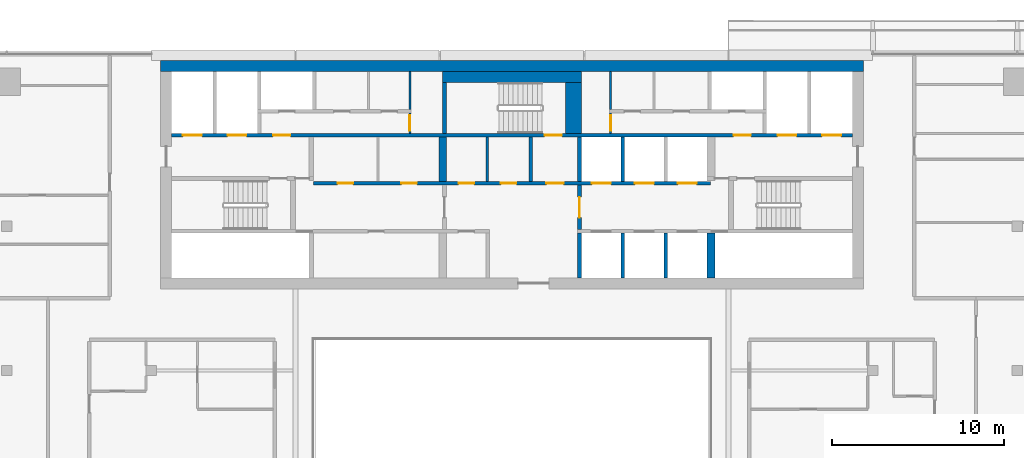
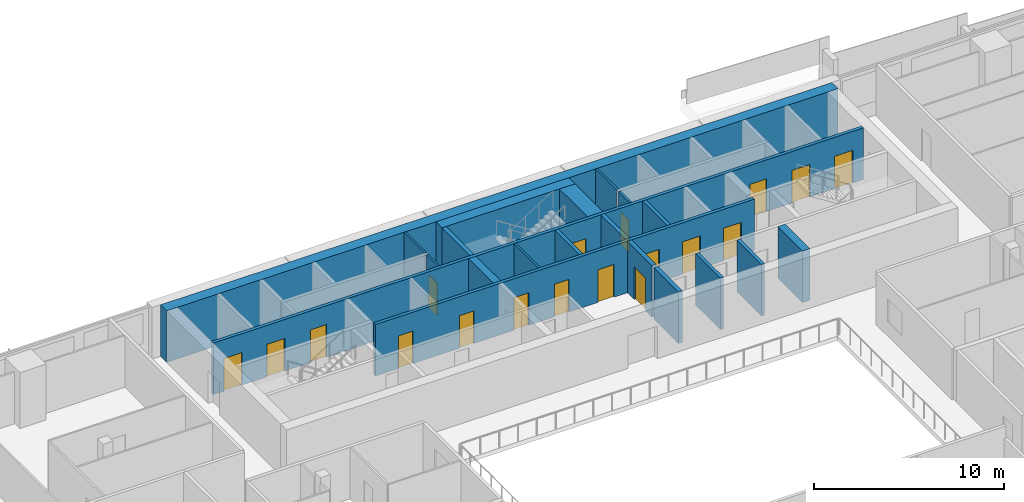
# One storey, part 23 of 31: 20 walls, 18 doors, 18 openings.
"""IFC4 building model written with IfcOpenShell, lengths in metres."""

from ifc_helpers import new_model, si_unit, direction, frame, frame_2d, origin, place, context, subcontext, project, spatial, rectangle, extrude, material, layer, layer_set, type_object, element, fill, save


model = new_model("IFC4")

# Units and contexts
model_context = context("Model", 3, precision=1e-05, world=origin(), true_north=direction((0.0, 1.0)))
body_context = subcontext(model_context, "Body", "Model", "MODEL_VIEW")
ifc_project = project(units=[si_unit("LENGTHUNIT", "METRE"), si_unit("AREAUNIT", "SQUARE_METRE"), si_unit("VOLUMEUNIT", "CUBIC_METRE"), si_unit("PLANEANGLEUNIT", "RADIAN"), si_unit("MASSUNIT", "GRAM", prefix="KILO")], contexts=[model_context])

# Site, building, storey
site_placement = place(None, origin())
site = spatial("IfcSite", under=ifc_project, at=site_placement, CompositionType="ELEMENT")
building_placement = place(site_placement, origin())
building = spatial("IfcBuilding", under=site, at=building_placement, Name="Saffron Gate Tower", CompositionType="ELEMENT")
storey_placement = place(building_placement, frame((0.0, 0.0, 205.5)))
storey = spatial("IfcBuildingStorey", under=building, at=storey_placement, Name="L49", CompositionType="ELEMENT", Elevation=205.5)

# Walls
ifc_material_1 = material(Name="Gypsum board partition on steel studs", Category="steel")
ifc_layer_1 = layer(ifc_material_1, 0.199951171875)
ifc_layer_set_1 = layer_set([ifc_layer_1], Name="CW10 Core partition 200")
wall_type_1 = type_object("IfcWallType", Name="CW10 Core partition 200", PredefinedType="PARTITIONING", material=ifc_layer_set_1)
wall_1_placement = place(storey_placement, frame((88.699951171875, 68.0, 0.0), z_axis=(0.0, 0.0, 1.0), x_axis=(0.0, 1.0, 0.0)))
element("IfcWall", 1, at=wall_1_placement, inside=storey, type_object=wall_type_1, Name="Wall CW10-L49-22", PredefinedType="PARTITIONING", context=body_context, shape_type="SweptSolid", body=[
    extrude(rectangle(XDim=2.60009765625, YDim=0.199951171875, at=frame_2d((1.300048828125, 0.0))), origin(), (0.0, 0.0, 1.0), 3.320068359375),
])
ifc_material_2 = material(Name="Concrete C60", Category="concrete")
ifc_layer_2 = layer(ifc_material_2, 0.25)
ifc_layer_set_2 = layer_set([ifc_layer_2], Name="CW14 RC core wall 250 C60")
wall_type_2 = type_object("IfcWallType", Name="CW14 RC core wall 250 C60", PredefinedType="SOLIDWALL", material=ifc_layer_set_2)
wall_2_placement = place(storey_placement, frame((91.52490234375, 62.39990234375, 0.0), z_axis=(0.0, 0.0, 1.0), x_axis=(0.0, 1.0, 0.0)))
element("IfcWall", 2, at=wall_2_placement, inside=storey, type_object=wall_type_2, Name="Wall CW14-L49-8", PredefinedType="SOLIDWALL", context=body_context, shape_type="SweptSolid", body=[
    extrude(rectangle(XDim=2.60009765625, YDim=0.25, at=frame_2d((1.300048828125, 0.0))), origin(), (0.0, 0.0, 1.0), 3.320068359375),
])

# Wall, opening, door
wall_3_placement = place(storey_placement, frame((91.52490234375, 65.199951171875, 0.0), z_axis=(0.0, 0.0, 1.0), x_axis=(0.0, 1.0, 0.0)))
wall_3 = element("IfcWall", 3, at=wall_3_placement, inside=storey, type_object=wall_type_2, Name="Wall CW14-L49-16", PredefinedType="SOLIDWALL", context=body_context, shape_type="SweptSolid", body=[
    extrude(rectangle(XDim=2.60009765625, YDim=0.25, at=frame_2d((1.300048828125, 0.0))), origin(), (0.0, 0.0, 1.0), 3.320068359375),
])
opening_1_placement = place(wall_3_placement, frame((0.699951171875, 0.0, 0.0)))
opening_1 = element("IfcOpeningElement", 4, at=opening_1_placement, cuts=wall_3, Name="Opening CR-01", PredefinedType="OPENING", context=body_context, shape_type="SweptSolid", body=[
    extrude(rectangle(XDim=1.199951171875, YDim=2.10009765625, at=frame_2d((0.60009765625, 1.050048828125))), frame((0.0, 0.135009765625, 0.0), z_axis=(0.0, -1.0, 0.0), x_axis=(1.0, 0.0, 0.0)), (0.0, 0.0, 1.0), 0.27001953125),
])
ifc_material_3 = material(Name="Steel fire door set", Category="steel")
door_type_1 = type_object("IfcDoorType", Name="CD3 Lobby door 1200x2100 EI 120", OperationType="NOTDEFINED", PredefinedType="DOOR", material=ifc_material_3)
door_1_placement = place(opening_1_placement, origin())
door_1 = element("IfcDoor", 5, at=door_1_placement, inside=storey, type_object=door_type_1, Name="DOOR CR-01", OperationType="SINGLE_SWING_RIGHT", OverallHeight=2.10009765625, OverallWidth=1.199951171875, PredefinedType="DOOR", context=body_context, shape_type="SweptSolid", body=[
    extrude(rectangle(XDim=1.199951171875, YDim=2.10009765625, at=frame_2d((0.60009765625, 1.050048828125))), frame((0.0, 0.02490234375, 0.0), z_axis=(0.0, -1.0, 0.0), x_axis=(1.0, 0.0, 0.0)), (0.0, 0.0, 1.0), 0.050048828125),
])
fill(opening_1, door_1)

# Walls
wall_4_placement = place(storey_placement, frame((91.52490234375, 68.0, 0.0), z_axis=(0.0, 0.0, 1.0), x_axis=(0.0, 1.0, 0.0)))
element("IfcWall", 6, at=wall_4_placement, inside=storey, type_object=wall_type_2, Name="Wall CW14-L49-23", PredefinedType="SOLIDWALL", context=body_context, shape_type="SweptSolid", body=[
    extrude(rectangle(XDim=2.60009765625, YDim=0.25, at=frame_2d((1.300048828125, 0.0))), origin(), (0.0, 0.0, 1.0), 3.320068359375),
])
wall_5_placement = place(storey_placement, frame((83.675048828125, 70.800048828125, 0.0), z_axis=(0.0, 0.0, 1.0), x_axis=(0.0, 1.0, 0.0)))
element("IfcWall", 7, at=wall_5_placement, inside=storey, type_object=wall_type_2, Name="Wall CW14-L49-35", PredefinedType="SOLIDWALL", context=body_context, shape_type="SweptSolid", body=[
    extrude(rectangle(XDim=2.949951171875, YDim=0.25, at=frame_2d((1.47509765625, 0.0))), origin(), (0.0, 0.0, 1.0), 3.320068359375),
])
ifc_layer_3 = layer(ifc_material_2, 0.199951171875)
ifc_layer_set_3 = layer_set([ifc_layer_3], Name="CW15 RC core wall 200 C60")
wall_type_3 = type_object("IfcWallType", Name="CW15 RC core wall 200 C60", PredefinedType="SOLIDWALL", material=ifc_layer_set_3)
for number, where, z_axis, x_axis, name in (
    (8, (94.050048828125, 62.39990234375, 0.0), (0.0, 0.0, 1.0), (0.0, 1.0, 0.0), "Wall CW15-L49-9"),
    (9, (96.550048828125, 62.39990234375, 0.0), (0.0, 0.0, 1.0), (0.0, 1.0, 0.0), "Wall CW15-L49-10"),
):
    element("IfcWall", number, at=place(storey_placement, frame(where, z_axis=z_axis, x_axis=x_axis)), inside=storey, type_object=wall_type_3, Name=name, PredefinedType="SOLIDWALL", context=body_context, shape_type="SweptSolid", body=[
        extrude(rectangle(XDim=2.60009765625, YDim=0.199951171875, at=frame_2d((1.300048828125, 0.0))), origin(), (0.0, 0.0, 1.0), 3.320068359375),
    ])

# Wall, openings, doors
wall_6_placement = place(storey_placement, frame((76.050048828125, 67.89990234375, 0.0), z_axis=(0.0, 0.0, 1.0), x_axis=(1.0, 0.0, 0.0)))
wall_6 = element("IfcWall", 10, at=wall_6_placement, inside=storey, type_object=wall_type_3, Name="Wall CW15-L49-18", PredefinedType="SOLIDWALL", context=body_context, shape_type="SweptSolid", body=[
    extrude(rectangle(XDim=23.099853515625, YDim=0.199951171875, at=frame_2d((11.5498046875, 0.0))), origin(), (0.0, 0.0, 1.0), 3.320068359375),
])
opening_2_placement = place(wall_6_placement, frame((1.39990234375, 0.0, 0.0)))
opening_2 = element("IfcOpeningElement", 11, at=opening_2_placement, cuts=wall_6, Name="Opening CR-61", PredefinedType="OPENING", context=body_context, shape_type="SweptSolid", body=[
    extrude(rectangle(XDim=0.89990234375, YDim=2.10009765625, at=frame_2d((0.449951171875, 1.050048828125))), frame((0.0, 0.10986328125, 0.0), z_axis=(0.0, -1.0, 0.0), x_axis=(1.0, 0.0, 0.0)), (0.0, 0.0, 1.0), 0.219970703125),
])
opening_3_placement = place(wall_6_placement, frame((5.110107421875, 0.0, 0.0)))
opening_3 = element("IfcOpeningElement", 12, at=opening_3_placement, cuts=wall_6, Name="Opening CR-62", PredefinedType="OPENING", context=body_context, shape_type="SweptSolid", body=[
    extrude(rectangle(XDim=0.89990234375, YDim=2.10009765625, at=frame_2d((0.449951171875, 1.050048828125))), frame((0.0, 0.10986328125, 0.0), z_axis=(0.0, -1.0, 0.0), x_axis=(1.0, 0.0, 0.0)), (0.0, 0.0, 1.0), 0.219970703125),
])
opening_4_placement = place(wall_6_placement, frame((8.449951171875, 0.0, 0.0)))
opening_4 = element("IfcOpeningElement", 13, at=opening_4_placement, cuts=wall_6, Name="Opening CR-67", PredefinedType="OPENING", context=body_context, shape_type="SweptSolid", body=[
    extrude(rectangle(XDim=0.89990234375, YDim=2.10009765625, at=frame_2d((0.449951171875, 1.050048828125))), frame((0.0, 0.10986328125, 0.0), z_axis=(0.0, -1.0, 0.0), x_axis=(1.0, 0.0, 0.0)), (0.0, 0.0, 1.0), 0.219970703125),
])
opening_5_placement = place(wall_6_placement, frame((10.909912109375, 0.0, 0.0)))
opening_5 = element("IfcOpeningElement", 14, at=opening_5_placement, cuts=wall_6, Name="Opening CR-68", PredefinedType="OPENING", context=body_context, shape_type="SweptSolid", body=[
    extrude(rectangle(XDim=0.89990234375, YDim=2.10009765625, at=frame_2d((0.449951171875, 1.050048828125))), frame((0.0, 0.10986328125, 0.0), z_axis=(0.0, -1.0, 0.0), x_axis=(1.0, 0.0, 0.0)), (0.0, 0.0, 1.0), 0.219970703125),
])
opening_6_placement = place(wall_6_placement, frame((13.550048828125, 0.0, 0.0)))
opening_6 = element("IfcOpeningElement", 15, at=opening_6_placement, cuts=wall_6, Name="Opening CR-02", PredefinedType="OPENING", context=body_context, shape_type="SweptSolid", body=[
    extrude(rectangle(XDim=1.0, YDim=2.10009765625, at=frame_2d((0.5, 1.050048828125))), frame((0.0, 0.10986328125, 0.0), z_axis=(0.0, -1.0, 0.0), x_axis=(1.0, 0.0, 0.0)), (0.0, 0.0, 1.0), 0.219970703125),
])
opening_7_placement = place(wall_6_placement, frame((16.199951171875, 0.0, 0.0)))
opening_7 = element("IfcOpeningElement", 16, at=opening_7_placement, cuts=wall_6, Name="Opening LD-HR4", PredefinedType="OPENING", context=body_context, shape_type="SweptSolid", body=[
    extrude(rectangle(XDim=1.10009765625, YDim=2.10009765625, at=frame_2d((0.550048828125, 1.050048828125))), frame((0.0, 0.10986328125, 0.0), z_axis=(0.0, -1.0, 0.0), x_axis=(1.0, 0.0, 0.0)), (0.0, 0.0, 1.0), 0.219970703125),
])
opening_8_placement = place(wall_6_placement, frame((18.699951171875, 0.0, 0.0)))
opening_8 = element("IfcOpeningElement", 17, at=opening_8_placement, cuts=wall_6, Name="Opening LD-HR5", PredefinedType="OPENING", context=body_context, shape_type="SweptSolid", body=[
    extrude(rectangle(XDim=1.10009765625, YDim=2.10009765625, at=frame_2d((0.550048828125, 1.050048828125))), frame((0.0, 0.10986328125, 0.0), z_axis=(0.0, -1.0, 0.0), x_axis=(1.0, 0.0, 0.0)), (0.0, 0.0, 1.0), 0.219970703125),
])
opening_9_placement = place(wall_6_placement, frame((21.199951171875, 0.0, 0.0)))
opening_9 = element("IfcOpeningElement", 18, at=opening_9_placement, cuts=wall_6, Name="Opening LD-HR6", PredefinedType="OPENING", context=body_context, shape_type="SweptSolid", body=[
    extrude(rectangle(XDim=1.10009765625, YDim=2.10009765625, at=frame_2d((0.550048828125, 1.050048828125))), frame((0.0, 0.10986328125, 0.0), z_axis=(0.0, -1.0, 0.0), x_axis=(1.0, 0.0, 0.0)), (0.0, 0.0, 1.0), 0.219970703125),
])
door_type_2 = type_object("IfcDoorType", Name="CD4 Lobby door 1000x2100 EI 120", OperationType="NOTDEFINED", PredefinedType="DOOR", material=ifc_material_3)
door_2_placement = place(opening_6_placement, origin())
door_2 = element("IfcDoor", 19, at=door_2_placement, inside=storey, type_object=door_type_2, Name="DOOR CR-02", OperationType="SINGLE_SWING_LEFT", OverallHeight=2.10009765625, OverallWidth=1.0, PredefinedType="DOOR", context=body_context, shape_type="SweptSolid", body=[
    extrude(rectangle(XDim=1.0, YDim=2.10009765625, at=frame_2d((0.5, 1.050048828125))), frame((0.0, 0.02490234375, 0.0), z_axis=(0.0, -1.0, 0.0), x_axis=(1.0, 0.0, 0.0)), (0.0, 0.0, 1.0), 0.050048828125),
])
fill(opening_6, door_2)
door_type_3 = type_object("IfcDoorType", Name="CD9 Room door 900x2100 EI 60", OperationType="NOTDEFINED", PredefinedType="DOOR", material=ifc_material_3)
door_3_placement = place(opening_2_placement, origin())
door_3 = element("IfcDoor", 20, at=door_3_placement, inside=storey, type_object=door_type_3, Name="DOOR CR-61", OperationType="SINGLE_SWING_LEFT", OverallHeight=2.10009765625, OverallWidth=0.89990234375, PredefinedType="DOOR", context=body_context, shape_type="SweptSolid", body=[
    extrude(rectangle(XDim=0.89990234375, YDim=2.10009765625, at=frame_2d((0.449951171875, 1.050048828125))), frame((0.0, 0.02490234375, 0.0), z_axis=(0.0, -1.0, 0.0), x_axis=(1.0, 0.0, 0.0)), (0.0, 0.0, 1.0), 0.050048828125),
])
fill(opening_2, door_3)
door_4_placement = place(opening_3_placement, origin())
door_4 = element("IfcDoor", 21, at=door_4_placement, inside=storey, type_object=door_type_3, Name="DOOR CR-62", OperationType="SINGLE_SWING_LEFT", OverallHeight=2.10009765625, OverallWidth=0.89990234375, PredefinedType="DOOR", context=body_context, shape_type="SweptSolid", body=[
    extrude(rectangle(XDim=0.89990234375, YDim=2.10009765625, at=frame_2d((0.449951171875, 1.050048828125))), frame((0.0, 0.02490234375, 0.0), z_axis=(0.0, -1.0, 0.0), x_axis=(1.0, 0.0, 0.0)), (0.0, 0.0, 1.0), 0.050048828125),
])
fill(opening_3, door_4)
door_5_placement = place(opening_4_placement, origin())
door_5 = element("IfcDoor", 22, at=door_5_placement, inside=storey, type_object=door_type_3, Name="DOOR CR-67", OperationType="SINGLE_SWING_LEFT", OverallHeight=2.10009765625, OverallWidth=0.89990234375, PredefinedType="DOOR", context=body_context, shape_type="SweptSolid", body=[
    extrude(rectangle(XDim=0.89990234375, YDim=2.10009765625, at=frame_2d((0.449951171875, 1.050048828125))), frame((0.0, 0.02490234375, 0.0), z_axis=(0.0, -1.0, 0.0), x_axis=(1.0, 0.0, 0.0)), (0.0, 0.0, 1.0), 0.050048828125),
])
fill(opening_4, door_5)
door_6_placement = place(opening_5_placement, origin())
door_6 = element("IfcDoor", 23, at=door_6_placement, inside=storey, type_object=door_type_3, Name="DOOR CR-68", OperationType="SINGLE_SWING_LEFT", OverallHeight=2.10009765625, OverallWidth=0.89990234375, PredefinedType="DOOR", context=body_context, shape_type="SweptSolid", body=[
    extrude(rectangle(XDim=0.89990234375, YDim=2.10009765625, at=frame_2d((0.449951171875, 1.050048828125))), frame((0.0, 0.02490234375, 0.0), z_axis=(0.0, -1.0, 0.0), x_axis=(1.0, 0.0, 0.0)), (0.0, 0.0, 1.0), 0.050048828125),
])
fill(opening_5, door_6)
ifc_material_4 = material(Name="Stainless steel landing door", Category="steel")
door_type_4 = type_object("IfcDoorType", Name="LD Lift landing door 1100x2100 EI 120", OperationType="SLIDING_TO_LEFT", PredefinedType="DOOR", material=ifc_material_4)
door_7_placement = place(opening_7_placement, origin())
door_7 = element("IfcDoor", 24, at=door_7_placement, inside=storey, type_object=door_type_4, Name="LANDING DOOR LD-HR4", OperationType="SLIDING_TO_RIGHT", OverallHeight=2.10009765625, OverallWidth=1.10009765625, PredefinedType="DOOR", context=body_context, shape_type="SweptSolid", body=[
    extrude(rectangle(XDim=1.10009765625, YDim=2.10009765625, at=frame_2d((0.550048828125, 1.050048828125))), frame((0.0, 0.02490234375, 0.0), z_axis=(0.0, -1.0, 0.0), x_axis=(1.0, 0.0, 0.0)), (0.0, 0.0, 1.0), 0.050048828125),
])
fill(opening_7, door_7)
door_8_placement = place(opening_8_placement, origin())
door_8 = element("IfcDoor", 25, at=door_8_placement, inside=storey, type_object=door_type_4, Name="LANDING DOOR LD-HR5", OperationType="SLIDING_TO_RIGHT", OverallHeight=2.10009765625, OverallWidth=1.10009765625, PredefinedType="DOOR", context=body_context, shape_type="SweptSolid", body=[
    extrude(rectangle(XDim=1.10009765625, YDim=2.10009765625, at=frame_2d((0.550048828125, 1.050048828125))), frame((0.0, 0.02490234375, 0.0), z_axis=(0.0, -1.0, 0.0), x_axis=(1.0, 0.0, 0.0)), (0.0, 0.0, 1.0), 0.050048828125),
])
fill(opening_8, door_8)
door_9_placement = place(opening_9_placement, origin())
door_9 = element("IfcDoor", 26, at=door_9_placement, inside=storey, type_object=door_type_4, Name="LANDING DOOR LD-HR6", OperationType="SLIDING_TO_RIGHT", OverallHeight=2.10009765625, OverallWidth=1.10009765625, PredefinedType="DOOR", context=body_context, shape_type="SweptSolid", body=[
    extrude(rectangle(XDim=1.10009765625, YDim=2.10009765625, at=frame_2d((0.550048828125, 1.050048828125))), frame((0.0, 0.02490234375, 0.0), z_axis=(0.0, -1.0, 0.0), x_axis=(1.0, 0.0, 0.0)), (0.0, 0.0, 1.0), 0.050048828125),
])
fill(opening_9, door_9)

# Wall
wall_7_placement = place(storey_placement, frame((94.050048828125, 68.0, 0.0), z_axis=(0.0, 0.0, 1.0), x_axis=(0.0, 1.0, 0.0)))
element("IfcWall", 27, at=wall_7_placement, inside=storey, type_object=wall_type_3, Name="Wall CW15-L49-24", PredefinedType="SOLIDWALL", context=body_context, shape_type="SweptSolid", body=[
    extrude(rectangle(XDim=2.60009765625, YDim=0.199951171875, at=frame_2d((1.300048828125, 0.0))), origin(), (0.0, 0.0, 1.0), 3.320068359375),
])

# Wall, openings, doors
wall_8_placement = place(storey_placement, frame((67.800048828125, 70.699951171875, 0.0), z_axis=(0.0, 0.0, 1.0), x_axis=(1.0, 0.0, 0.0)))
wall_8 = element("IfcWall", 28, at=wall_8_placement, inside=storey, type_object=wall_type_3, Name="Wall CW15-L49-31", PredefinedType="SOLIDWALL", context=body_context, shape_type="SweptSolid", body=[
    extrude(rectangle(XDim=39.599853515625, YDim=0.199951171875, at=frame_2d((19.7998046875, 0.0))), origin(), (0.0, 0.0, 1.0), 3.320068359375),
])
opening_10_placement = place(wall_8_placement, frame((0.64990234375, 0.0, 0.0)))
opening_10 = element("IfcOpeningElement", 29, at=opening_10_placement, cuts=wall_8, Name="Opening LD-FF1", PredefinedType="OPENING", context=body_context, shape_type="SweptSolid", body=[
    extrude(rectangle(XDim=1.10009765625, YDim=2.10009765625, at=frame_2d((0.550048828125, 1.050048828125))), frame((0.0, 0.10986328125, 0.0), z_axis=(0.0, -1.0, 0.0), x_axis=(1.0, 0.0, 0.0)), (0.0, 0.0, 1.0), 0.219970703125),
])
opening_11_placement = place(wall_8_placement, frame((3.25, 0.0, 0.0)))
opening_11 = element("IfcOpeningElement", 30, at=opening_11_placement, cuts=wall_8, Name="Opening LD-SV1", PredefinedType="OPENING", context=body_context, shape_type="SweptSolid", body=[
    extrude(rectangle(XDim=1.10009765625, YDim=2.10009765625, at=frame_2d((0.550048828125, 1.050048828125))), frame((0.0, 0.10986328125, 0.0), z_axis=(0.0, -1.0, 0.0), x_axis=(1.0, 0.0, 0.0)), (0.0, 0.0, 1.0), 0.219970703125),
])
opening_12_placement = place(wall_8_placement, frame((5.89990234375, 0.0, 0.0)))
opening_12 = element("IfcOpeningElement", 31, at=opening_12_placement, cuts=wall_8, Name="Opening CR-03", PredefinedType="OPENING", context=body_context, shape_type="SweptSolid", body=[
    extrude(rectangle(XDim=1.0, YDim=2.10009765625, at=frame_2d((0.5, 1.050048828125))), frame((0.0, 0.10986328125, 0.0), z_axis=(0.0, -1.0, 0.0), x_axis=(1.0, 0.0, 0.0)), (0.0, 0.0, 1.0), 0.219970703125),
])
opening_13_placement = place(wall_8_placement, frame((21.699951171875, 0.0, 0.0)))
opening_13 = element("IfcOpeningElement", 32, at=opening_13_placement, cuts=wall_8, Name="Opening CR-17", PredefinedType="OPENING", context=body_context, shape_type="SweptSolid", body=[
    extrude(rectangle(XDim=1.0, YDim=2.10009765625, at=frame_2d((0.5, 1.050048828125))), frame((0.0, 0.10986328125, 0.0), z_axis=(0.0, -1.0, 0.0), x_axis=(1.0, 0.0, 0.0)), (0.0, 0.0, 1.0), 0.219970703125),
])
opening_14_placement = place(wall_8_placement, frame((32.699951171875, 0.0, 0.0)))
opening_14 = element("IfcOpeningElement", 33, at=opening_14_placement, cuts=wall_8, Name="Opening CR-04", PredefinedType="OPENING", context=body_context, shape_type="SweptSolid", body=[
    extrude(rectangle(XDim=1.0, YDim=2.10009765625, at=frame_2d((0.5, 1.050048828125))), frame((0.0, 0.10986328125, 0.0), z_axis=(0.0, -1.0, 0.0), x_axis=(1.0, 0.0, 0.0)), (0.0, 0.0, 1.0), 0.219970703125),
])
opening_15_placement = place(wall_8_placement, frame((35.25, 0.0, 0.0)))
opening_15 = element("IfcOpeningElement", 34, at=opening_15_placement, cuts=wall_8, Name="Opening LD-SV2", PredefinedType="OPENING", context=body_context, shape_type="SweptSolid", body=[
    extrude(rectangle(XDim=1.10009765625, YDim=2.10009765625, at=frame_2d((0.550048828125, 1.050048828125))), frame((0.0, 0.10986328125, 0.0), z_axis=(0.0, -1.0, 0.0), x_axis=(1.0, 0.0, 0.0)), (0.0, 0.0, 1.0), 0.219970703125),
])
opening_16_placement = place(wall_8_placement, frame((37.85009765625, 0.0, 0.0)))
opening_16 = element("IfcOpeningElement", 35, at=opening_16_placement, cuts=wall_8, Name="Opening LD-FF2", PredefinedType="OPENING", context=body_context, shape_type="SweptSolid", body=[
    extrude(rectangle(XDim=1.10009765625, YDim=2.10009765625, at=frame_2d((0.550048828125, 1.050048828125))), frame((0.0, 0.10986328125, 0.0), z_axis=(0.0, -1.0, 0.0), x_axis=(1.0, 0.0, 0.0)), (0.0, 0.0, 1.0), 0.219970703125),
])
door_10_placement = place(opening_12_placement, origin())
door_10 = element("IfcDoor", 36, at=door_10_placement, inside=storey, type_object=door_type_2, Name="DOOR CR-03", OperationType="SINGLE_SWING_LEFT", OverallHeight=2.10009765625, OverallWidth=1.0, PredefinedType="DOOR", context=body_context, shape_type="SweptSolid", body=[
    extrude(rectangle(XDim=1.0, YDim=2.10009765625, at=frame_2d((0.5, 1.050048828125))), frame((0.0, 0.02490234375, 0.0), z_axis=(0.0, -1.0, 0.0), x_axis=(1.0, 0.0, 0.0)), (0.0, 0.0, 1.0), 0.050048828125),
])
fill(opening_12, door_10)
door_11_placement = place(opening_14_placement, origin())
door_11 = element("IfcDoor", 37, at=door_11_placement, inside=storey, type_object=door_type_2, Name="DOOR CR-04", OperationType="SINGLE_SWING_RIGHT", OverallHeight=2.10009765625, OverallWidth=1.0, PredefinedType="DOOR", context=body_context, shape_type="SweptSolid", body=[
    extrude(rectangle(XDim=1.0, YDim=2.10009765625, at=frame_2d((0.5, 1.050048828125))), frame((0.0, 0.02490234375, 0.0), z_axis=(0.0, -1.0, 0.0), x_axis=(1.0, 0.0, 0.0)), (0.0, 0.0, 1.0), 0.050048828125),
])
fill(opening_14, door_11)
door_type_5 = type_object("IfcDoorType", Name="CD5 Stair door 1000x2100 EI 120", OperationType="NOTDEFINED", PredefinedType="DOOR", material=ifc_material_3)
door_12_placement = place(opening_13_placement, origin())
door_12 = element("IfcDoor", 38, at=door_12_placement, inside=storey, type_object=door_type_5, Name="DOOR CR-17", OperationType="SINGLE_SWING_RIGHT", OverallHeight=2.10009765625, OverallWidth=1.0, PredefinedType="DOOR", context=body_context, shape_type="SweptSolid", body=[
    extrude(rectangle(XDim=1.0, YDim=2.10009765625, at=frame_2d((0.5, 1.050048828125))), frame((0.0, 0.02490234375, 0.0), z_axis=(0.0, -1.0, 0.0), x_axis=(1.0, 0.0, 0.0)), (0.0, 0.0, 1.0), 0.050048828125),
])
fill(opening_13, door_12)
door_13_placement = place(opening_10_placement, origin())
door_13 = element("IfcDoor", 39, at=door_13_placement, inside=storey, type_object=door_type_4, Name="LANDING DOOR LD-FF1", OperationType="SLIDING_TO_RIGHT", OverallHeight=2.10009765625, OverallWidth=1.10009765625, PredefinedType="DOOR", context=body_context, shape_type="SweptSolid", body=[
    extrude(rectangle(XDim=1.10009765625, YDim=2.10009765625, at=frame_2d((0.550048828125, 1.050048828125))), frame((0.0, 0.02490234375, 0.0), z_axis=(0.0, -1.0, 0.0), x_axis=(1.0, 0.0, 0.0)), (0.0, 0.0, 1.0), 0.050048828125),
])
fill(opening_10, door_13)
door_14_placement = place(opening_11_placement, origin())
door_14 = element("IfcDoor", 40, at=door_14_placement, inside=storey, type_object=door_type_4, Name="LANDING DOOR LD-SV1", OperationType="SLIDING_TO_RIGHT", OverallHeight=2.10009765625, OverallWidth=1.10009765625, PredefinedType="DOOR", context=body_context, shape_type="SweptSolid", body=[
    extrude(rectangle(XDim=1.10009765625, YDim=2.10009765625, at=frame_2d((0.550048828125, 1.050048828125))), frame((0.0, 0.02490234375, 0.0), z_axis=(0.0, -1.0, 0.0), x_axis=(1.0, 0.0, 0.0)), (0.0, 0.0, 1.0), 0.050048828125),
])
fill(opening_11, door_14)
door_15_placement = place(opening_15_placement, origin())
door_15 = element("IfcDoor", 41, at=door_15_placement, inside=storey, type_object=door_type_4, Name="LANDING DOOR LD-SV2", OperationType="SLIDING_TO_RIGHT", OverallHeight=2.10009765625, OverallWidth=1.10009765625, PredefinedType="DOOR", context=body_context, shape_type="SweptSolid", body=[
    extrude(rectangle(XDim=1.10009765625, YDim=2.10009765625, at=frame_2d((0.550048828125, 1.050048828125))), frame((0.0, 0.02490234375, 0.0), z_axis=(0.0, -1.0, 0.0), x_axis=(1.0, 0.0, 0.0)), (0.0, 0.0, 1.0), 0.050048828125),
])
fill(opening_15, door_15)
door_16_placement = place(opening_16_placement, origin())
door_16 = element("IfcDoor", 42, at=door_16_placement, inside=storey, type_object=door_type_4, Name="LANDING DOOR LD-FF2", OperationType="SLIDING_TO_RIGHT", OverallHeight=2.10009765625, OverallWidth=1.10009765625, PredefinedType="DOOR", context=body_context, shape_type="SweptSolid", body=[
    extrude(rectangle(XDim=1.10009765625, YDim=2.10009765625, at=frame_2d((0.550048828125, 1.050048828125))), frame((0.0, 0.02490234375, 0.0), z_axis=(0.0, -1.0, 0.0), x_axis=(1.0, 0.0, 0.0)), (0.0, 0.0, 1.0), 0.050048828125),
])
fill(opening_16, door_16)

# Walls
ifc_layer_4 = layer(ifc_material_2, 0.449951171875)
ifc_layer_set_4 = layer_set([ifc_layer_4], Name="CW16 RC core wall 450 C60")
wall_type_4 = type_object("IfcWallType", Name="CW16 RC core wall 450 C60", PredefinedType="SOLIDWALL", material=ifc_layer_set_4)
for number, where, z_axis, x_axis, name in (
    (43, (99.175048828125, 62.39990234375, 0.0), (0.0, 0.0, 1.0), (0.0, 1.0, 0.0), "Wall CW16-L49-11"),
    (44, (83.574951171875, 68.0, 0.0), (0.0, 0.0, 1.0), (0.0, 1.0, 0.0), "Wall CW16-L49-20"),
):
    element("IfcWall", number, at=place(storey_placement, frame(where, z_axis=z_axis, x_axis=x_axis)), inside=storey, type_object=wall_type_4, Name=name, PredefinedType="SOLIDWALL", context=body_context, shape_type="SweptSolid", body=[
        extrude(rectangle(XDim=2.60009765625, YDim=0.449951171875, at=frame_2d((1.300048828125, 0.0))), origin(), (0.0, 0.0, 1.0), 3.320068359375),
    ])
ifc_layer_5 = layer(ifc_material_2, 0.949951171875)
ifc_layer_set_5 = layer_set([ifc_layer_5], Name="CW19 RC core wall 950 C60")
wall_type_5 = type_object("IfcWallType", Name="CW19 RC core wall 950 C60", PredefinedType="SOLIDWALL", material=ifc_layer_set_5)
wall_9_placement = place(storey_placement, frame((91.175048828125, 70.800048828125, 0.0), z_axis=(0.0, 0.0, 1.0), x_axis=(0.0, 1.0, 0.0)))
element("IfcWall", 45, at=wall_9_placement, inside=storey, type_object=wall_type_5, Name="Wall CW19-L49-36", PredefinedType="SOLIDWALL", context=body_context, shape_type="SweptSolid", body=[
    extrude(rectangle(XDim=2.949951171875, YDim=0.949951171875, at=frame_2d((1.47509765625, 0.0))), origin(), (0.0, 0.0, 1.0), 3.320068359375),
])
ifc_layer_6 = layer(ifc_material_2, 0.64990234375)
ifc_layer_set_6 = layer_set([ifc_layer_6], Name="CW20 RC core wall 650 C60")
wall_type_6 = type_object("IfcWallType", Name="CW20 RC core wall 650 C60", PredefinedType="SOLIDWALL", material=ifc_layer_set_6)
wall_10_placement = place(storey_placement, frame((67.14990234375, 74.72509765625, 0.0), z_axis=(0.0, 0.0, 1.0), x_axis=(1.0, 0.0, 0.0)))
element("IfcWall", 46, at=wall_10_placement, inside=storey, type_object=wall_type_6, Name="Wall CW20-L49-2", PredefinedType="SOLIDWALL", context=body_context, shape_type="SweptSolid", body=[
    extrude(rectangle(XDim=40.900146484375, YDim=0.64990234375, at=frame_2d((20.4501953125, 0.0))), origin(), (0.0, 0.0, 1.0), 3.320068359375),
])
wall_11_placement = place(storey_placement, frame((83.550048828125, 74.074951171875, 0.0), z_axis=(0.0, 0.0, 1.0), x_axis=(1.0, 0.0, 0.0)))
element("IfcWall", 47, at=wall_11_placement, inside=storey, type_object=wall_type_6, Name="Wall CW20-L49-50", PredefinedType="SOLIDWALL", context=body_context, shape_type="SweptSolid", body=[
    extrude(rectangle(XDim=8.099853515625, YDim=0.64990234375, at=frame_2d((4.0498046875, 0.0))), origin(), (0.0, 0.0, 1.0), 3.320068359375),
])
ifc_layer_7 = layer(ifc_material_1, 0.1201171875)
ifc_layer_set_7 = layer_set([ifc_layer_7], Name="CW8 Core partition 120")
wall_type_7 = type_object("IfcWallType", Name="CW8 Core partition 120", PredefinedType="PARTITIONING", material=ifc_layer_set_7)
wall_12_placement = place(storey_placement, frame((86.159912109375, 68.0, 0.0), z_axis=(0.0, 0.0, 1.0), x_axis=(0.0, 1.0, 0.0)))
element("IfcWall", 48, at=wall_12_placement, inside=storey, type_object=wall_type_7, Name="Wall CW8-L49-21", PredefinedType="PARTITIONING", context=body_context, shape_type="SweptSolid", body=[
    extrude(rectangle(XDim=2.60009765625, YDim=0.1201171875, at=frame_2d((1.300048828125, 0.0))), origin(), (0.0, 0.0, 1.0), 3.320068359375),
])

# Wall, opening, door
wall_13_placement = place(storey_placement, frame((81.659912109375, 70.800048828125, 0.0), z_axis=(0.0, 0.0, 1.0), x_axis=(0.0, 1.0, 0.0)))
wall_13 = element("IfcWall", 49, at=wall_13_placement, inside=storey, type_object=wall_type_7, Name="Wall CW8-L49-34", PredefinedType="PARTITIONING", context=body_context, shape_type="SweptSolid", body=[
    extrude(rectangle(XDim=1.199951171875, YDim=0.1201171875, at=frame_2d((0.60009765625, 0.0))), origin(), (0.0, 0.0, 1.0), 3.320068359375),
])
opening_17_placement = place(wall_13_placement, frame((0.14990234375, 0.0, 0.0)))
opening_17 = element("IfcOpeningElement", 50, at=opening_17_placement, cuts=wall_13, Name="Opening CR-60", PredefinedType="OPENING", context=body_context, shape_type="SweptSolid", body=[
    extrude(rectangle(XDim=0.89990234375, YDim=2.10009765625, at=frame_2d((0.449951171875, 1.050048828125))), frame((0.0, 0.070068359375, 0.0), z_axis=(0.0, -1.0, 0.0), x_axis=(1.0, 0.0, 0.0)), (0.0, 0.0, 1.0), 0.14013671875),
])
door_17_placement = place(opening_17_placement, origin())
door_17 = element("IfcDoor", 51, at=door_17_placement, inside=storey, type_object=door_type_3, Name="DOOR CR-60", OperationType="SINGLE_SWING_RIGHT", OverallHeight=2.10009765625, OverallWidth=0.89990234375, PredefinedType="DOOR", context=body_context, shape_type="SweptSolid", body=[
    extrude(rectangle(XDim=0.89990234375, YDim=2.10009765625, at=frame_2d((0.449951171875, 1.050048828125))), frame((0.0, 0.02490234375, 0.0), z_axis=(0.0, -1.0, 0.0), x_axis=(1.0, 0.0, 0.0)), (0.0, 0.0, 1.0), 0.050048828125),
])
fill(opening_17, door_17)

wall_14_placement = place(storey_placement, frame((93.340087890625, 70.800048828125, 0.0), z_axis=(0.0, 0.0, 1.0), x_axis=(0.0, 1.0, 0.0)))
wall_14 = element("IfcWall", 52, at=wall_14_placement, inside=storey, type_object=wall_type_7, Name="Wall CW8-L49-37", PredefinedType="PARTITIONING", context=body_context, shape_type="SweptSolid", body=[
    extrude(rectangle(XDim=1.199951171875, YDim=0.1201171875, at=frame_2d((0.60009765625, 0.0))), origin(), (0.0, 0.0, 1.0), 3.320068359375),
])
opening_18_placement = place(wall_14_placement, frame((0.14990234375, 0.0, 0.0)))
opening_18 = element("IfcOpeningElement", 53, at=opening_18_placement, cuts=wall_14, Name="Opening CR-54", PredefinedType="OPENING", context=body_context, shape_type="SweptSolid", body=[
    extrude(rectangle(XDim=0.89990234375, YDim=2.10009765625, at=frame_2d((0.449951171875, 1.050048828125))), frame((0.0, 0.070068359375, 0.0), z_axis=(0.0, -1.0, 0.0), x_axis=(1.0, 0.0, 0.0)), (0.0, 0.0, 1.0), 0.14013671875),
])
door_18_placement = place(opening_18_placement, origin())
door_18 = element("IfcDoor", 54, at=door_18_placement, inside=storey, type_object=door_type_3, Name="DOOR CR-54", OperationType="SINGLE_SWING_LEFT", OverallHeight=2.10009765625, OverallWidth=0.89990234375, PredefinedType="DOOR", context=body_context, shape_type="SweptSolid", body=[
    extrude(rectangle(XDim=0.89990234375, YDim=2.10009765625, at=frame_2d((0.449951171875, 1.050048828125))), frame((0.0, 0.02490234375, 0.0), z_axis=(0.0, -1.0, 0.0), x_axis=(1.0, 0.0, 0.0)), (0.0, 0.0, 1.0), 0.050048828125),
])
fill(opening_18, door_18)

# Walls
for number, where, z_axis, x_axis, name in (
    (55, (81.659912109375, 72.199951171875, 0.0), (0.0, 0.0, 1.0), (0.0, 1.0, 0.0), "Wall CW8-L49-45"),
    (56, (93.340087890625, 72.199951171875, 0.0), (0.0, 0.0, 1.0), (0.0, 1.0, 0.0), "Wall CW8-L49-46"),
):
    element("IfcWall", number, at=place(storey_placement, frame(where, z_axis=z_axis, x_axis=x_axis)), inside=storey, type_object=wall_type_7, Name=name, PredefinedType="PARTITIONING", context=body_context, shape_type="SweptSolid", body=[
        extrude(rectangle(XDim=2.199951171875, YDim=0.1201171875, at=frame_2d((1.10009765625, 0.0))), origin(), (0.0, 0.0, 1.0), 3.320068359375),
    ])

save(model, "model.ifc")
